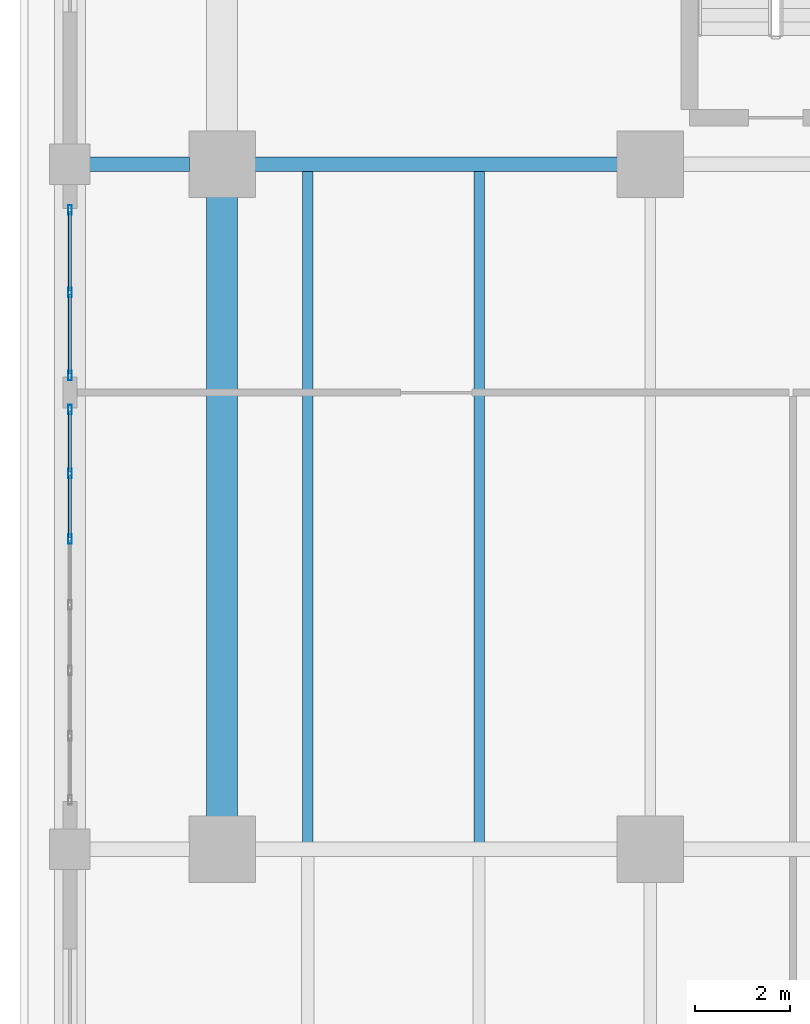
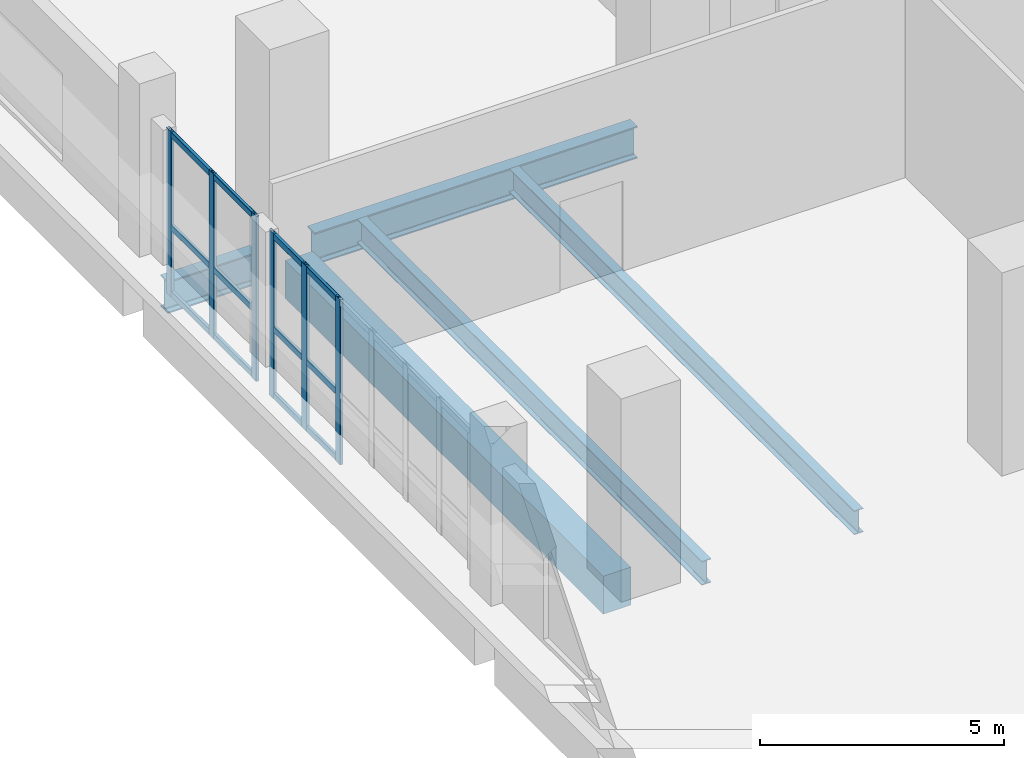
# One storey, part 6 of 25: 18 members, 5 beams, 2 elements without a shape of their own.
"""IFC4 building model written with IfcOpenShell, lengths in metres."""

from ifc_helpers import new_model, si_unit, direction, frame, origin, origin_2d, place, context, subcontext, project, spatial, rectangle, hollow_rectangle, i_section, extrude, material, layer, layer_set, material_profile, profile_set, type_object, element, aggregate, save


model = new_model("IFC4")

# Units and contexts
model_context = context("Model", 3, precision=1e-05, world=origin(), true_north=direction((0.0, 1.0)))
body_context = subcontext(model_context, "Body", "Model", "MODEL_VIEW")
ifc_project = project(units=[si_unit("LENGTHUNIT", "METRE"), si_unit("AREAUNIT", "SQUARE_METRE"), si_unit("VOLUMEUNIT", "CUBIC_METRE"), si_unit("PLANEANGLEUNIT", "RADIAN"), si_unit("MASSUNIT", "GRAM", prefix="KILO")], contexts=[model_context])

# Site, building, storey
site_placement = place(None, origin())
site = spatial("IfcSite", under=ifc_project, at=site_placement, CompositionType="ELEMENT")
building_placement = place(site_placement, origin())
building = spatial("IfcBuilding", under=site, at=building_placement, Name="Kaelvorn Grand Hotel", CompositionType="ELEMENT")
storey_placement = place(building_placement, frame((0.0, 0.0, 14.0)))
storey = spatial("IfcBuildingStorey", under=building, at=storey_placement, Name="L02", CompositionType="ELEMENT", Elevation=14.0)

# Beams
ifc_material_1 = material(Name="Steel S355", Category="steel")
ifc_material_profile_1 = material_profile(ifc_material_1, i_section(OverallWidth=0.300048828125, OverallDepth=0.800048828125, WebThickness=0.017578125, FlangeThickness=0.032958984375, FilletRadius=0.030029296875, at=origin_2d()), Name="HEB 800")
ifc_profile_set_1 = profile_set([ifc_material_profile_1], Name="Steel S355")
beam_type_1 = type_object("IfcBeamType", Name="BM-G-HEB800-S355", PredefinedType="BEAM", material=ifc_profile_set_1)
beam_1_placement = place(storey_placement, frame((-2.7900390625, 29.39990234375, -0.719970703125), z_axis=(1.0, 0.0, 0.0), x_axis=(0.0, 1.0, 0.0)))
element("IfcBeam", 1, at=beam_1_placement, inside=storey, type_object=beam_type_1, Name="L02 West Core Wing Steel Girder G-29W 01", PredefinedType="BEAM", context=body_context, shape_type="SweptSolid", body=[
    extrude(i_section(OverallWidth=0.300048828125, OverallDepth=0.800048828125, WebThickness=0.017578125, FlangeThickness=0.032958984375, FilletRadius=0.030029296875, at=origin_2d()), origin(), (0.0, 0.0, 1.0), 2.10498046875),
])
beam_2_placement = place(storey_placement, frame((0.68505859375, 29.39990234375, -0.719970703125), z_axis=(1.0, 0.0, 0.0), x_axis=(0.0, 1.0, 0.0)))
element("IfcBeam", 2, at=beam_2_placement, inside=storey, type_object=beam_type_1, Name="L02 West Core Wing Steel Girder G-29W 02", PredefinedType="BEAM", context=body_context, shape_type="SweptSolid", body=[
    extrude(i_section(OverallWidth=0.300048828125, OverallDepth=0.800048828125, WebThickness=0.017578125, FlangeThickness=0.032958984375, FilletRadius=0.030029296875, at=origin_2d()), origin(), (0.0, 0.0, 1.0), 7.6298828125),
])
ifc_material_profile_2 = material_profile(ifc_material_1, i_section(OverallWidth=0.219970703125, OverallDepth=0.60009765625, WebThickness=0.011962890625, FlangeThickness=0.01904296875, FilletRadius=0.02392578125, at=origin_2d()), Name="IPE 600")
ifc_profile_set_2 = profile_set([ifc_material_profile_2], Name="Steel S355")
beam_type_2 = type_object("IfcBeamType", Name="BM-J-IPE600-S355", PredefinedType="JOIST", material=ifc_profile_set_2)
for number, where, z_axis, x_axis, name in (
    (3, (1.800048828125, 15.135009765625, -0.6201171875), (0.0, 1.0, 0.0), (-1.0, 0.0, 0.0), "L02 Composite Floor Joist JM-01"),
    (4, (5.39990234375, 15.135009765625, -0.6201171875), (0.0, 1.0, 0.0), (-1.0, 0.0, 0.0), "L02 Composite Floor Joist JM-02"),
):
    element("IfcBeam", number, at=place(storey_placement, frame(where, z_axis=z_axis, x_axis=x_axis)), inside=storey, type_object=beam_type_2, Name=name, PredefinedType="JOIST", context=body_context, shape_type="SweptSolid", body=[
        extrude(i_section(OverallWidth=0.219970703125, OverallDepth=0.60009765625, WebThickness=0.011962890625, FlangeThickness=0.01904296875, FilletRadius=0.02392578125, at=origin_2d()), origin(), (0.0, 0.0, 1.0), 14.1298828125),
    ])
ifc_material_2 = material(Name="Concrete C60/75", Category="concrete")
ifc_material_profile_3 = material_profile(ifc_material_2, rectangle(XDim=0.64990234375, YDim=0.949951171875, at=origin_2d()), Name="RC SPANDREL 650x950")
ifc_profile_set_3 = profile_set([ifc_material_profile_3], Name="Concrete C60/75")
beam_type_3 = type_object("IfcBeamType", Name="BM-SP-650x950-C60", PredefinedType="SPANDREL", material=ifc_profile_set_3)
beam_3_placement = place(storey_placement, frame((0.0, 15.68505859375, -0.794921875), z_axis=(0.0, 1.0, 0.0), x_axis=(-1.0, 0.0, 0.0)))
element("IfcBeam", 5, at=beam_3_placement, inside=storey, type_object=beam_type_3, Name="L02 Tower Wing Girder TW 01", PredefinedType="SPANDREL", context=body_context, shape_type="SweptSolid", body=[
    extrude(rectangle(XDim=0.64990234375, YDim=0.949951171875, at=origin_2d()), origin(), (0.0, 0.0, 1.0), 13.030029296875),
])

# Curtain wall, members
ifc_material_3 = material(Name="Anodised Aluminium", Category="aluminium")
ifc_layer = layer(ifc_material_3, 0.199951171875)
ifc_layer_set = layer_set([ifc_layer], Name="Anodised Aluminium")
curtain_wall_type = type_object("IfcCurtainWallType", Name="CW-SYS2", PredefinedType="NOTDEFINED", material=ifc_layer_set)
curtain_wall_1_placement = place(storey_placement, origin())
curtain_wall_1 = element("IfcCurtainWall", 6, at=curtain_wall_1_placement, inside=storey, type_object=curtain_wall_type, Name="L02 Unitised Curtain Wall CW2 (CW-L02-W-02)", PredefinedType="NOTDEFINED")
ifc_material_profile_4 = material_profile(ifc_material_3, hollow_rectangle(XDim=0.074951171875, YDim=0.199951171875, WallThickness=0.00390625, InnerFilletRadius=0.00390625, OuterFilletRadius=0.008056640625, at=origin_2d()), Name="ALU MULL 75x200")
ifc_profile_set_4 = profile_set([ifc_material_profile_4], Name="Anodised Aluminium")
member_type_1 = type_object("IfcMemberType", Name="CW-SYS2-MULL", PredefinedType="MULLION", material=ifc_profile_set_4)
member_1_placement = place(storey_placement, frame((-3.199951171875, 28.4423828125, 0.0), z_axis=(0.0, 0.0, 1.0), x_axis=(1.0, 0.0, 0.0)))
member_1 = element("IfcMember", 7, at=member_1_placement, type_object=member_type_1, Name="CW2 mullion 1", PredefinedType="MULLION", context=body_context, shape_type="SweptSolid", body=[
    extrude(hollow_rectangle(XDim=0.074951171875, YDim=0.199951171875, WallThickness=0.00390625, InnerFilletRadius=0.00390625, OuterFilletRadius=0.008056640625, at=origin_2d()), origin(), (0.0, 0.0, 1.0), 4.1298828125),
])
member_2_placement = place(storey_placement, frame((-3.199951171875, 26.699951171875, 0.0), z_axis=(0.0, 0.0, 1.0), x_axis=(1.0, 0.0, 0.0)))
member_2 = element("IfcMember", 8, at=member_2_placement, type_object=member_type_1, Name="CW2 mullion 2", PredefinedType="MULLION", context=body_context, shape_type="SweptSolid", body=[
    extrude(hollow_rectangle(XDim=0.074951171875, YDim=0.199951171875, WallThickness=0.00390625, InnerFilletRadius=0.00390625, OuterFilletRadius=0.008056640625, at=origin_2d()), origin(), (0.0, 0.0, 1.0), 4.1298828125),
])
member_3_placement = place(storey_placement, frame((-3.199951171875, 24.95751953125, 0.0), z_axis=(0.0, 0.0, 1.0), x_axis=(1.0, 0.0, 0.0)))
member_3 = element("IfcMember", 9, at=member_3_placement, type_object=member_type_1, Name="CW2 mullion 3", PredefinedType="MULLION", context=body_context, shape_type="SweptSolid", body=[
    extrude(hollow_rectangle(XDim=0.074951171875, YDim=0.199951171875, WallThickness=0.00390625, InnerFilletRadius=0.00390625, OuterFilletRadius=0.008056640625, at=origin_2d()), origin(), (0.0, 0.0, 1.0), 4.1298828125),
])

curtain_wall_2_placement = place(storey_placement, origin())
curtain_wall_2 = element("IfcCurtainWall", 10, at=curtain_wall_2_placement, inside=storey, type_object=curtain_wall_type, Name="L02 Unitised Curtain Wall CW2 (CW-L02-W-01)", PredefinedType="NOTDEFINED")
member_4_placement = place(storey_placement, frame((-3.199951171875, 24.242431640625, 0.0), z_axis=(0.0, 0.0, 1.0), x_axis=(1.0, 0.0, 0.0)))
member_4 = element("IfcMember", 11, at=member_4_placement, type_object=member_type_1, Name="CW2 mullion 1", PredefinedType="MULLION", context=body_context, shape_type="SweptSolid", body=[
    extrude(hollow_rectangle(XDim=0.074951171875, YDim=0.199951171875, WallThickness=0.00390625, InnerFilletRadius=0.00390625, OuterFilletRadius=0.008056640625, at=origin_2d()), origin(), (0.0, 0.0, 1.0), 4.1298828125),
])
member_5_placement = place(storey_placement, frame((-3.199951171875, 22.89990234375, 0.0), z_axis=(0.0, 0.0, 1.0), x_axis=(1.0, 0.0, 0.0)))
member_5 = element("IfcMember", 12, at=member_5_placement, type_object=member_type_1, Name="CW2 mullion 2", PredefinedType="MULLION", context=body_context, shape_type="SweptSolid", body=[
    extrude(hollow_rectangle(XDim=0.074951171875, YDim=0.199951171875, WallThickness=0.00390625, InnerFilletRadius=0.00390625, OuterFilletRadius=0.008056640625, at=origin_2d()), origin(), (0.0, 0.0, 1.0), 4.1298828125),
])
member_6_placement = place(storey_placement, frame((-3.199951171875, 21.52001953125, 0.0), z_axis=(0.0, 0.0, 1.0), x_axis=(1.0, 0.0, 0.0)))
member_6 = element("IfcMember", 13, at=member_6_placement, type_object=member_type_1, Name="CW2 mullion 3", PredefinedType="MULLION", context=body_context, shape_type="SweptSolid", body=[
    extrude(hollow_rectangle(XDim=0.074951171875, YDim=0.199951171875, WallThickness=0.00390625, InnerFilletRadius=0.00390625, OuterFilletRadius=0.008056640625, at=origin_2d()), origin(), (0.0, 0.0, 1.0), 4.1298828125),
])

# Member
ifc_material_profile_5 = material_profile(ifc_material_3, hollow_rectangle(XDim=0.074951171875, YDim=0.14990234375, WallThickness=0.00390625, InnerFilletRadius=0.00390625, OuterFilletRadius=0.008056640625, at=origin_2d()), Name="ALU TRAN 75x150")
ifc_profile_set_5 = profile_set([ifc_material_profile_5], Name="Anodised Aluminium")
member_type_2 = type_object("IfcMemberType", Name="CW-SYS2-TRAN", PredefinedType="NOTDEFINED", material=ifc_profile_set_5)
member_7_placement = place(storey_placement, frame((-3.199951171875, 28.405029296875, 0.074951171875), z_axis=(0.0, -1.0, 0.0), x_axis=(1.0, 0.0, 0.0)))
member_7 = element("IfcMember", 14, at=member_7_placement, type_object=member_type_2, Name="CW2 transom 1.1", ObjectType="TRANSOM", PredefinedType="USERDEFINED", context=body_context, shape_type="SweptSolid", body=[
    extrude(hollow_rectangle(XDim=0.074951171875, YDim=0.14990234375, WallThickness=0.00390625, InnerFilletRadius=0.00390625, OuterFilletRadius=0.008056640625, at=origin_2d()), origin(), (0.0, 0.0, 1.0), 1.66748046875),
])

member_8_placement = place(storey_placement, frame((-3.199951171875, 28.405029296875, 1.734619140625), z_axis=(0.0, -1.0, 0.0), x_axis=(1.0, 0.0, 0.0)))
member_8 = element("IfcMember", 15, at=member_8_placement, type_object=member_type_2, Name="CW2 transom 1.2", ObjectType="TRANSOM", PredefinedType="USERDEFINED", context=body_context, shape_type="SweptSolid", body=[
    extrude(hollow_rectangle(XDim=0.074951171875, YDim=0.14990234375, WallThickness=0.00390625, InnerFilletRadius=0.00390625, OuterFilletRadius=0.008056640625, at=origin_2d()), origin(), (0.0, 0.0, 1.0), 1.66748046875),
])

member_9_placement = place(storey_placement, frame((-3.199951171875, 28.405029296875, 4.054931640625), z_axis=(0.0, -1.0, 0.0), x_axis=(1.0, 0.0, 0.0)))
member_9 = element("IfcMember", 16, at=member_9_placement, type_object=member_type_2, Name="CW2 transom 1.3", ObjectType="TRANSOM", PredefinedType="USERDEFINED", context=body_context, shape_type="SweptSolid", body=[
    extrude(hollow_rectangle(XDim=0.074951171875, YDim=0.14990234375, WallThickness=0.00390625, InnerFilletRadius=0.00390625, OuterFilletRadius=0.008056640625, at=origin_2d()), origin(), (0.0, 0.0, 1.0), 1.66748046875),
])

member_10_placement = place(storey_placement, frame((-3.199951171875, 26.66259765625, 0.074951171875), z_axis=(0.0, -1.0, 0.0), x_axis=(1.0, 0.0, 0.0)))
member_10 = element("IfcMember", 17, at=member_10_placement, type_object=member_type_2, Name="CW2 transom 2.1", ObjectType="TRANSOM", PredefinedType="USERDEFINED", context=body_context, shape_type="SweptSolid", body=[
    extrude(hollow_rectangle(XDim=0.074951171875, YDim=0.14990234375, WallThickness=0.00390625, InnerFilletRadius=0.00390625, OuterFilletRadius=0.008056640625, at=origin_2d()), origin(), (0.0, 0.0, 1.0), 1.66748046875),
])

member_11_placement = place(storey_placement, frame((-3.199951171875, 26.66259765625, 1.734619140625), z_axis=(0.0, -1.0, 0.0), x_axis=(1.0, 0.0, 0.0)))
member_11 = element("IfcMember", 18, at=member_11_placement, type_object=member_type_2, Name="CW2 transom 2.2", ObjectType="TRANSOM", PredefinedType="USERDEFINED", context=body_context, shape_type="SweptSolid", body=[
    extrude(hollow_rectangle(XDim=0.074951171875, YDim=0.14990234375, WallThickness=0.00390625, InnerFilletRadius=0.00390625, OuterFilletRadius=0.008056640625, at=origin_2d()), origin(), (0.0, 0.0, 1.0), 1.66748046875),
])

member_12_placement = place(storey_placement, frame((-3.199951171875, 26.66259765625, 4.054931640625), z_axis=(0.0, -1.0, 0.0), x_axis=(1.0, 0.0, 0.0)))
member_12 = element("IfcMember", 19, at=member_12_placement, type_object=member_type_2, Name="CW2 transom 2.3", ObjectType="TRANSOM", PredefinedType="USERDEFINED", context=body_context, shape_type="SweptSolid", body=[
    extrude(hollow_rectangle(XDim=0.074951171875, YDim=0.14990234375, WallThickness=0.00390625, InnerFilletRadius=0.00390625, OuterFilletRadius=0.008056640625, at=origin_2d()), origin(), (0.0, 0.0, 1.0), 1.66748046875),
])

aggregate(curtain_wall_1, [member_1, member_2, member_3, member_7, member_8, member_9, member_10, member_11, member_12])

member_13_placement = place(storey_placement, frame((-3.199951171875, 24.205078125, 0.074951171875), z_axis=(0.0, -1.0, 0.0), x_axis=(1.0, 0.0, 0.0)))
member_13 = element("IfcMember", 20, at=member_13_placement, type_object=member_type_2, Name="CW2 transom 1.1", ObjectType="TRANSOM", PredefinedType="USERDEFINED", context=body_context, shape_type="SweptSolid", body=[
    extrude(hollow_rectangle(XDim=0.074951171875, YDim=0.14990234375, WallThickness=0.00390625, InnerFilletRadius=0.00390625, OuterFilletRadius=0.008056640625, at=origin_2d()), origin(), (0.0, 0.0, 1.0), 1.267578125),
])

member_14_placement = place(storey_placement, frame((-3.199951171875, 24.205078125, 1.734619140625), z_axis=(0.0, -1.0, 0.0), x_axis=(1.0, 0.0, 0.0)))
member_14 = element("IfcMember", 21, at=member_14_placement, type_object=member_type_2, Name="CW2 transom 1.2", ObjectType="TRANSOM", PredefinedType="USERDEFINED", context=body_context, shape_type="SweptSolid", body=[
    extrude(hollow_rectangle(XDim=0.074951171875, YDim=0.14990234375, WallThickness=0.00390625, InnerFilletRadius=0.00390625, OuterFilletRadius=0.008056640625, at=origin_2d()), origin(), (0.0, 0.0, 1.0), 1.267578125),
])

member_15_placement = place(storey_placement, frame((-3.199951171875, 24.205078125, 4.054931640625), z_axis=(0.0, -1.0, 0.0), x_axis=(1.0, 0.0, 0.0)))
member_15 = element("IfcMember", 22, at=member_15_placement, type_object=member_type_2, Name="CW2 transom 1.3", ObjectType="TRANSOM", PredefinedType="USERDEFINED", context=body_context, shape_type="SweptSolid", body=[
    extrude(hollow_rectangle(XDim=0.074951171875, YDim=0.14990234375, WallThickness=0.00390625, InnerFilletRadius=0.00390625, OuterFilletRadius=0.008056640625, at=origin_2d()), origin(), (0.0, 0.0, 1.0), 1.267578125),
])

member_16_placement = place(storey_placement, frame((-3.199951171875, 22.862548828125, 0.074951171875), z_axis=(0.0, -1.0, 0.0), x_axis=(1.0, 0.0, 0.0)))
member_16 = element("IfcMember", 23, at=member_16_placement, type_object=member_type_2, Name="CW2 transom 2.1", ObjectType="TRANSOM", PredefinedType="USERDEFINED", context=body_context, shape_type="SweptSolid", body=[
    extrude(hollow_rectangle(XDim=0.074951171875, YDim=0.14990234375, WallThickness=0.00390625, InnerFilletRadius=0.00390625, OuterFilletRadius=0.008056640625, at=origin_2d()), origin(), (0.0, 0.0, 1.0), 1.304931640625),
])

member_17_placement = place(storey_placement, frame((-3.199951171875, 22.862548828125, 1.734619140625), z_axis=(0.0, -1.0, 0.0), x_axis=(1.0, 0.0, 0.0)))
member_17 = element("IfcMember", 24, at=member_17_placement, type_object=member_type_2, Name="CW2 transom 2.2", ObjectType="TRANSOM", PredefinedType="USERDEFINED", context=body_context, shape_type="SweptSolid", body=[
    extrude(hollow_rectangle(XDim=0.074951171875, YDim=0.14990234375, WallThickness=0.00390625, InnerFilletRadius=0.00390625, OuterFilletRadius=0.008056640625, at=origin_2d()), origin(), (0.0, 0.0, 1.0), 1.304931640625),
])

member_18_placement = place(storey_placement, frame((-3.199951171875, 22.862548828125, 4.054931640625), z_axis=(0.0, -1.0, 0.0), x_axis=(1.0, 0.0, 0.0)))
member_18 = element("IfcMember", 25, at=member_18_placement, type_object=member_type_2, Name="CW2 transom 2.3", ObjectType="TRANSOM", PredefinedType="USERDEFINED", context=body_context, shape_type="SweptSolid", body=[
    extrude(hollow_rectangle(XDim=0.074951171875, YDim=0.14990234375, WallThickness=0.00390625, InnerFilletRadius=0.00390625, OuterFilletRadius=0.008056640625, at=origin_2d()), origin(), (0.0, 0.0, 1.0), 1.304931640625),
])

aggregate(curtain_wall_2, [member_4, member_5, member_6, member_13, member_14, member_15, member_16, member_17, member_18])

save(model, "model.ifc")
